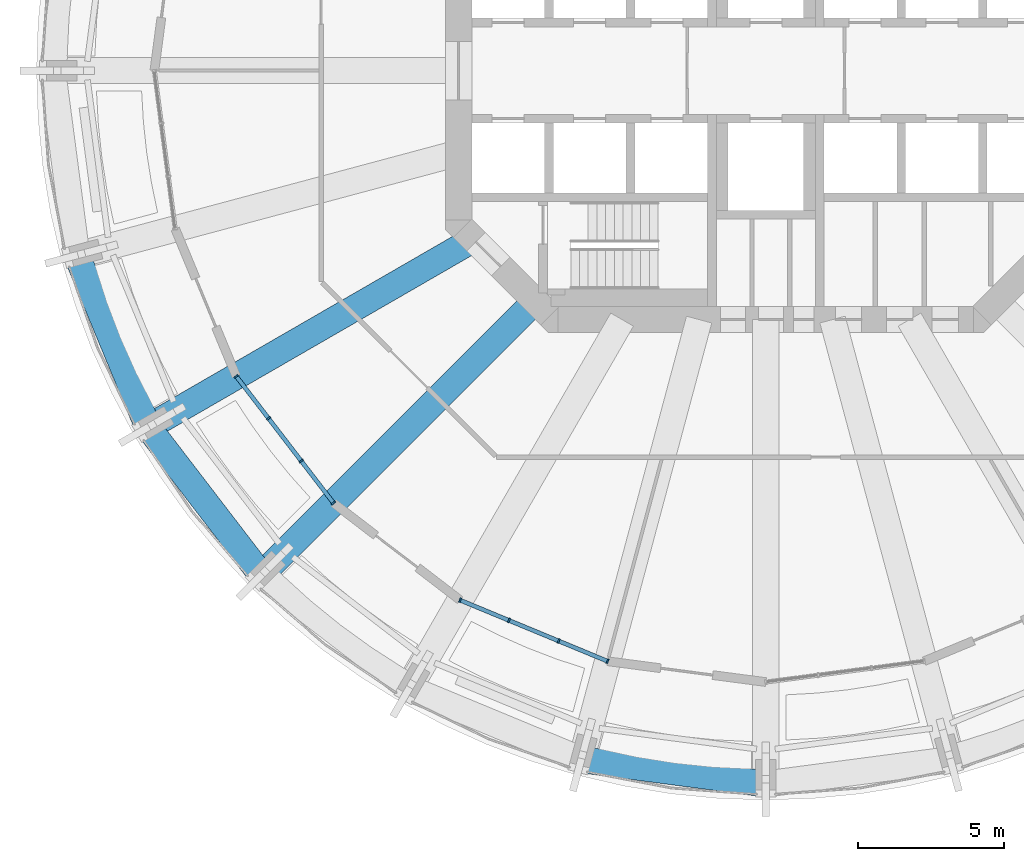
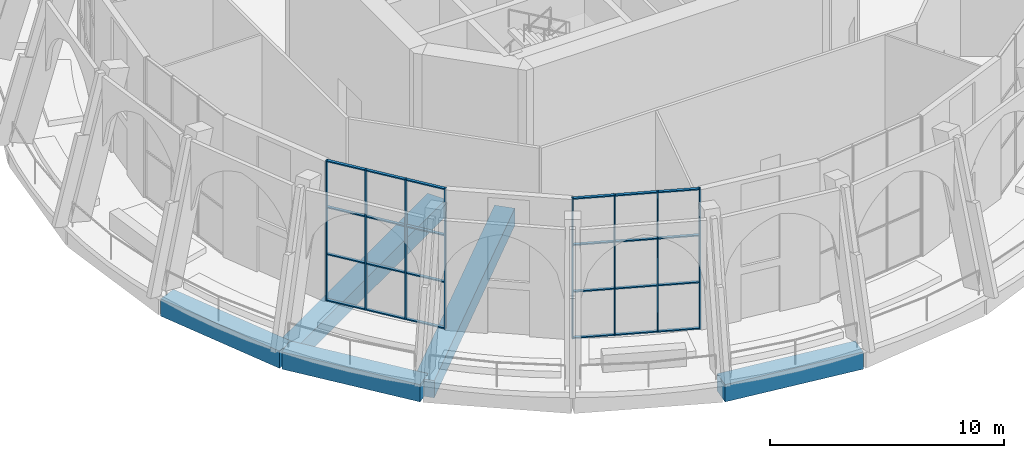
# One storey, part 2 of 18: 32 members, 5 beams, 2 elements without a shape of their own.
"""IFC4 building model written with IfcOpenShell, lengths in metres."""

import ifcopenshell
import ifcopenshell.guid

model = None  # the IFC model being written
_history = None  # IfcOwnerHistory: only IFC2X3 demands one
_inside = {}  # id of a spatial element -> (the spatial element, [elements in it])
_under = {}  # id of a project, library or spatial element -> (it, [spatial elements below it])
_declared = {}  # id of a project -> (the project, [libraries it declares])
_typed = {}  # id of a type object -> (the type object, [elements of that type])
_made_of = {}  # id of a material, layer set ... -> (it, [elements and type objects made of it])


def new_model(schema):
    """Start an empty IFC model of exactly this schema.

    Asked for "IFC4X3", IfcOpenShell would pick the latest addendum, in which some entities
    have other attributes; the version numbers below select the first issue.
    IFC2X3 requires an IfcOwnerHistory on every rooted entity: one is made here for all.
    """
    global model, _history
    if schema == "IFC4X3":
        model = ifcopenshell.file(schema_version=(4, 3, 0, 0))
    else:
        model = ifcopenshell.file(schema=schema)
    _inside.clear()
    _under.clear()
    _declared.clear()
    _typed.clear()
    _made_of.clear()
    _history = None
    if model.schema == "IFC2X3":
        org = make("IfcOrganization", Name="unknown")
        user = make(
            "IfcPersonAndOrganization",
            ThePerson=make("IfcPerson", FamilyName="unknown"),
            TheOrganization=org,
        )
        app = make(
            "IfcApplication",
            ApplicationDeveloper=org,
            Version="unknown",
            ApplicationFullName="unknown",
            ApplicationIdentifier="unknown",
        )
        _history = make(
            "IfcOwnerHistory",
            OwningUser=user,
            OwningApplication=app,
            ChangeAction="ADDED",
            CreationDate=0,
        )
    return model


def make(cls, **values):
    """One entity of the class cls with the attributes given. An attribute that is None is left unset."""
    return model.create_entity(
        cls, **{name: value for name, value in values.items() if value is not None}
    )


def rooted(cls, **values):
    """An entity with a GlobalId (a new one), such as an element, a storey or a relation."""
    return make(cls, GlobalId=ifcopenshell.guid.new(), OwnerHistory=_history, **values)


def si_unit(unit_type, name, prefix=None):
    """IfcSIUnit, for example si_unit("LENGTHUNIT", "METRE", prefix="MILLI")."""
    return make("IfcSIUnit", UnitType=unit_type, Prefix=prefix, Name=name)


def assignment(units):
    """IfcUnitAssignment: the units of a project."""
    return None if units is None else make("IfcUnitAssignment", Units=units)


def point(xyz):
    """IfcCartesianPoint."""
    return None if xyz is None else make("IfcCartesianPoint", Coordinates=xyz)


def direction(xyz):
    """IfcDirection."""
    return None if xyz is None else make("IfcDirection", DirectionRatios=xyz)


def frame(location, z_axis=None, x_axis=None):
    """IfcAxis2Placement3D, a coordinate frame: its origin and axes. An axis left out is left unset."""
    return make(
        "IfcAxis2Placement3D",
        Location=point(location),
        Axis=direction(z_axis),
        RefDirection=direction(x_axis),
    )


def frame_2d(location, x_axis=None):
    """IfcAxis2Placement2D, a coordinate frame in the plane: its origin and x axis."""
    return make(
        "IfcAxis2Placement2D", Location=point(location), RefDirection=direction(x_axis)
    )


def origin():
    """The frame at (0, 0, 0) with its axes left unset."""
    return frame((0.0, 0.0, 0.0))


def origin_2d():
    """The frame at (0, 0) in the plane with its x axis left unset."""
    return frame_2d((0.0, 0.0))


def place(relative_to, where):
    """IfcLocalPlacement: puts the frame where relative to a parent placement (None: the world)."""
    return make(
        "IfcLocalPlacement", PlacementRelTo=relative_to, RelativePlacement=where
    )


def context(
    kind, dimensions, precision=None, world=None, true_north=None, identifier=None
):
    """IfcGeometricRepresentationContext, for example the 3D "Model" context."""
    return make(
        "IfcGeometricRepresentationContext",
        ContextIdentifier=identifier,
        ContextType=kind,
        CoordinateSpaceDimension=dimensions,
        Precision=precision,
        WorldCoordinateSystem=world,
        TrueNorth=true_north,
    )


def subcontext(parent, identifier, kind, view, scale=None):
    """IfcGeometricRepresentationSubContext, for example "Body" below "Model"."""
    return make(
        "IfcGeometricRepresentationSubContext",
        ContextIdentifier=identifier,
        ContextType=kind,
        ParentContext=parent,
        TargetScale=scale,
        TargetView=view,
    )


def project(units=None, contexts=None):
    """IfcProject with its units and contexts."""
    return rooted(
        "IfcProject",
        Name="project",
        RepresentationContexts=contexts,
        UnitsInContext=assignment(units),
    )


def spatial(cls, under=None, at=None, **own):
    """A site, building, storey or space (cls), placed at a placement, below another one or the project."""
    s = rooted(cls, ObjectPlacement=at, **own)
    if under is not None:
        _under.setdefault(under.id(), (under, []))[1].append(s)
    return s


def profile(cls, at=None, kind="AREA", **sizes):
    """A parametric profile (cls). Its sizes go by their IFC names, for example OverallWidth=200.0."""
    return make(cls, ProfileType=kind, Position=at, **sizes)


def rectangle(**sizes):
    """IfcRectangleProfileDef."""
    return profile("IfcRectangleProfileDef", **sizes)


def extrude(swept, where, along, depth):
    """IfcExtrudedAreaSolid: the profile swept, set in the frame where, extruded along a direction by depth."""
    return make(
        "IfcExtrudedAreaSolid",
        SweptArea=swept,
        Position=where,
        ExtrudedDirection=direction(along),
        Depth=depth,
    )


def shape(context_of_items, identifier, shape_type, items):
    """IfcShapeRepresentation: the items that make up one representation, for example the "Body"."""
    return make(
        "IfcShapeRepresentation",
        ContextOfItems=context_of_items,
        RepresentationIdentifier=identifier,
        RepresentationType=shape_type,
        Items=items,
    )


def material(Name=None, Category=None):
    """IfcMaterial."""
    return make("IfcMaterial", Name=Name, Category=Category)


def material_profile(
    of_material, cross_section, Name=None, Category=None, Priority=None
):
    """IfcMaterialProfile: a cross section and its material."""
    return make(
        "IfcMaterialProfile",
        Name=Name,
        Material=of_material,
        Profile=cross_section,
        Priority=Priority,
        Category=Category,
    )


def profile_set(profiles, Name=None, composite=None):
    """IfcMaterialProfileSet."""
    return make(
        "IfcMaterialProfileSet",
        Name=Name,
        MaterialProfiles=profiles,
        CompositeProfile=composite,
    )


def made_of(thing, what):
    """Note that an element or type object is made of a material, layer set ...; save() writes the relation."""
    if what is not None:
        _made_of.setdefault(what.id(), (what, []))[1].append(thing)
    return thing


def type_object(cls, material=None, **own):
    """A type object (cls), such as IfcWallType, which elements share."""
    return made_of(rooted(cls, **own), material)


def element(
    cls,
    number,
    at=None,
    inside=None,
    cuts=None,
    type_object=None,
    material=None,
    context=None,
    identifier="Body",
    shape_type=None,
    held_by="IfcProductDefinitionShape",
    body=None,
    shapes=None,
    **own,
):
    """One element of the class cls, such as IfcWall. Its Tag is "e" and its number.

    at: its placement. inside: the storey or other place that contains it. cuts: it is an
    opening in that element (IfcRelVoidsElement). A single representation is given by context,
    identifier, shape_type and body (its items); several are given by shapes. held_by: the class
    of the entity that holds the representations. save() writes the other relations.
    """
    e = rooted(cls, Tag="e%d" % number, ObjectPlacement=at, **own)
    if body is not None:
        shapes = [shape(context, identifier, shape_type, body)]
    if shapes is not None:
        e.Representation = make(held_by, Representations=shapes)
    if inside is not None:
        _inside.setdefault(inside.id(), (inside, []))[1].append(e)
    if cuts is not None:
        rooted(
            "IfcRelVoidsElement", RelatingBuildingElement=cuts, RelatedOpeningElement=e
        )
    if type_object is not None:
        _typed.setdefault(type_object.id(), (type_object, []))[1].append(e)
    return made_of(e, material)


def aggregate(whole, parts):
    """IfcRelAggregates: a whole, such as a stair, and the parts it consists of."""
    return rooted("IfcRelAggregates", RelatingObject=whole, RelatedObjects=parts)


def save(model, path):
    """Write the relations noted so far, then the file.

    IfcRelAggregates (storeys below a building ...), IfcRelContainedInSpatialStructure (elements
    in a storey), IfcRelDefinesByType, IfcRelAssociatesMaterial and IfcRelDeclares: one each for
    every whole, place, type object, material and project.
    """
    for whole, parts in _under.values():
        aggregate(whole, parts)
    for where, things in _inside.values():
        rooted(
            "IfcRelContainedInSpatialStructure",
            RelatedElements=things,
            RelatingStructure=where,
        )
    for kind, things in _typed.values():
        rooted("IfcRelDefinesByType", RelatedObjects=things, RelatingType=kind)
    for what, things in _made_of.values():
        rooted("IfcRelAssociatesMaterial", RelatedObjects=things, RelatingMaterial=what)
    for by, libraries in _declared.values():
        rooted("IfcRelDeclares", RelatingContext=by, RelatedDefinitions=libraries)
    model.write(path)


model = new_model("IFC4")

# Units and contexts
model_context = context("Model", 3, precision=1e-05, world=origin(), true_north=direction((0.0, 1.0)))
body_context = subcontext(model_context, "Body", "Model", "MODEL_VIEW")
ifc_project = project(units=[si_unit("LENGTHUNIT", "METRE"), si_unit("AREAUNIT", "SQUARE_METRE"), si_unit("VOLUMEUNIT", "CUBIC_METRE"), si_unit("PLANEANGLEUNIT", "RADIAN"), si_unit("MASSUNIT", "GRAM", prefix="KILO")], contexts=[model_context])

# Site, building, storey
site_placement = place(None, origin())
site = spatial("IfcSite", under=ifc_project, at=site_placement, CompositionType="ELEMENT")
building_placement = place(site_placement, origin())
building = spatial("IfcBuilding", under=site, at=building_placement, Name="Torre Triforio", CompositionType="ELEMENT")
storey_placement = place(building_placement, frame((0.0, 0.0, 146.60009765625)))
storey = spatial("IfcBuildingStorey", under=building, at=storey_placement, Name="L33", CompositionType="ELEMENT", Elevation=146.60009765625)

# Curtain wall, members
ifc_material_1 = material(Name="Aluminium mullion and transom frame with clear laminated glass", Category="aluminium")
curtain_wall_type = type_object("IfcCurtainWallType", Name="Sky garden conservatory wall ECW3", PredefinedType="NOTDEFINED", material=ifc_material_1)
curtain_wall_1_placement = place(storey_placement, origin())
curtain_wall_1 = element("IfcCurtainWall", 1, at=curtain_wall_1_placement, inside=storey, type_object=curtain_wall_type, Name="Conservatory wall L33 bay 15", PredefinedType="NOTDEFINED")
ifc_material_2 = material(Name="Anodised aluminium extrusion", Category="aluminium")
ifc_material_profile_1 = material_profile(ifc_material_2, rectangle(XDim=0.159912109375, YDim=0.06005859375, at=origin_2d()), Name="ECW3 MULLION 60x160")
ifc_profile_set_1 = profile_set([ifc_material_profile_1], Name="Anodised aluminium extrusion")
member_type_1 = type_object("IfcMemberType", Name="ECW3 mullion 60 x 160", PredefinedType="MULLION", material=ifc_profile_set_1)
member_1_placement = place(storey_placement, frame((-18.1865234375, -10.5, 0.0), z_axis=(0.0, 0.0, 1.0), x_axis=(0.793351885029, 0.608763325538, 0.0)))
member_1 = element("IfcMember", 2, at=member_1_placement, type_object=member_type_1, Name="ECW3 mullion 1", PredefinedType="MULLION", context=body_context, shape_type="SweptSolid", body=[
    extrude(rectangle(XDim=0.159912109375, YDim=0.06005859375, at=origin_2d()), origin(), (0.0, 0.0, 1.0), 7.31982421875),
])
member_2_placement = place(storey_placement, frame((-17.080078125, -11.94189453125, 0.0), z_axis=(0.0, 0.0, 1.0), x_axis=(0.793351885029, 0.608763325538, 0.0)))
member_2 = element("IfcMember", 3, at=member_2_placement, type_object=member_type_1, Name="ECW3 mullion 2", PredefinedType="MULLION", context=body_context, shape_type="SweptSolid", body=[
    extrude(rectangle(XDim=0.159912109375, YDim=0.06005859375, at=origin_2d()), origin(), (0.0, 0.0, 1.0), 7.31982421875),
])
member_3_placement = place(storey_placement, frame((-15.95556640625, -13.407470703125, 0.0), z_axis=(0.0, 0.0, 1.0), x_axis=(0.793351885029, 0.608763325538, 0.0)))
member_3 = element("IfcMember", 4, at=member_3_placement, type_object=member_type_1, Name="ECW3 mullion 3", PredefinedType="MULLION", context=body_context, shape_type="SweptSolid", body=[
    extrude(rectangle(XDim=0.159912109375, YDim=0.06005859375, at=origin_2d()), origin(), (0.0, 0.0, 1.0), 7.31982421875),
])
member_4_placement = place(storey_placement, frame((-14.849365234375, -14.84912109375, 0.0), z_axis=(0.0, 0.0, 1.0), x_axis=(0.793351885029, 0.608763325538, 0.0)))
member_4 = element("IfcMember", 5, at=member_4_placement, type_object=member_type_1, Name="ECW3 mullion 4", PredefinedType="MULLION", context=body_context, shape_type="SweptSolid", body=[
    extrude(rectangle(XDim=0.159912109375, YDim=0.06005859375, at=origin_2d()), origin(), (0.0, 0.0, 1.0), 7.31982421875),
])

curtain_wall_2_placement = place(storey_placement, origin())
curtain_wall_2 = element("IfcCurtainWall", 6, at=curtain_wall_2_placement, inside=storey, type_object=curtain_wall_type, Name="Conservatory wall L33 bay 17", PredefinedType="NOTDEFINED")
member_5_placement = place(storey_placement, frame((-10.5, -18.1865234375, 0.0), z_axis=(0.0, 0.0, 1.0), x_axis=(0.382674764107, 0.923883122974, 0.0)))
member_5 = element("IfcMember", 7, at=member_5_placement, type_object=member_type_1, Name="ECW3 mullion 1", PredefinedType="MULLION", context=body_context, shape_type="SweptSolid", body=[
    extrude(rectangle(XDim=0.159912109375, YDim=0.06005859375, at=origin_2d()), origin(), (0.0, 0.0, 1.0), 7.31982421875),
])
member_6_placement = place(storey_placement, frame((-8.821044921875, -18.882080078125, 0.0), z_axis=(0.0, 0.0, 1.0), x_axis=(0.382674764107, 0.923883122974, 0.0)))
member_6 = element("IfcMember", 8, at=member_6_placement, type_object=member_type_1, Name="ECW3 mullion 2", PredefinedType="MULLION", context=body_context, shape_type="SweptSolid", body=[
    extrude(rectangle(XDim=0.159912109375, YDim=0.06005859375, at=origin_2d()), origin(), (0.0, 0.0, 1.0), 7.31982421875),
])
member_7_placement = place(storey_placement, frame((-7.1142578125, -19.5888671875, 0.0), z_axis=(0.0, 0.0, 1.0), x_axis=(0.382674764107, 0.923883122974, 0.0)))
member_7 = element("IfcMember", 9, at=member_7_placement, type_object=member_type_1, Name="ECW3 mullion 3", PredefinedType="MULLION", context=body_context, shape_type="SweptSolid", body=[
    extrude(rectangle(XDim=0.159912109375, YDim=0.06005859375, at=origin_2d()), origin(), (0.0, 0.0, 1.0), 7.31982421875),
])
member_8_placement = place(storey_placement, frame((-5.435302734375, -20.284423828125, 0.0), z_axis=(0.0, 0.0, 1.0), x_axis=(0.382674764107, 0.923883122974, 0.0)))
member_8 = element("IfcMember", 10, at=member_8_placement, type_object=member_type_1, Name="ECW3 mullion 4", PredefinedType="MULLION", context=body_context, shape_type="SweptSolid", body=[
    extrude(rectangle(XDim=0.159912109375, YDim=0.06005859375, at=origin_2d()), origin(), (0.0, 0.0, 1.0), 7.31982421875),
])

# Member
ifc_material_profile_2 = material_profile(ifc_material_2, rectangle(XDim=0.139892578125, YDim=0.06005859375, at=origin_2d()), Name="ECW3 TRANSOM 60x140")
ifc_profile_set_2 = profile_set([ifc_material_profile_2], Name="Anodised aluminium extrusion")
member_type_2 = type_object("IfcMemberType", Name="ECW3 transom 60 x 140", PredefinedType="USERDEFINED", material=ifc_profile_set_2)
member_9_placement = place(storey_placement, frame((-18.168212890625, -10.523681640625, 0.02978515625), z_axis=(0.60874355425, -0.793367055756, 0.0), x_axis=(0.793367055756, 0.60874355425, 0.0)))
member_9 = element("IfcMember", 11, at=member_9_placement, type_object=member_type_2, Name="ECW3 transom 1.1", ObjectType="TRANSOM", PredefinedType="USERDEFINED", context=body_context, shape_type="SweptSolid", body=[
    extrude(rectangle(XDim=0.139892578125, YDim=0.06005859375, at=origin_2d()), origin(), (0.0, 0.0, 1.0), 1.75732421875),
])

member_10_placement = place(storey_placement, frame((-18.168212890625, -10.523681640625, 2.43994140625), z_axis=(0.60874355425, -0.793367055756, 0.0), x_axis=(0.793367055756, 0.60874355425, 0.0)))
member_10 = element("IfcMember", 12, at=member_10_placement, type_object=member_type_2, Name="ECW3 transom 1.2", ObjectType="TRANSOM", PredefinedType="USERDEFINED", context=body_context, shape_type="SweptSolid", body=[
    extrude(rectangle(XDim=0.139892578125, YDim=0.06005859375, at=origin_2d()), origin(), (0.0, 0.0, 1.0), 1.75732421875),
])

member_11_placement = place(storey_placement, frame((-18.168212890625, -10.523681640625, 4.8798828125), z_axis=(0.60874355425, -0.793367055756, 0.0), x_axis=(0.793367055756, 0.60874355425, 0.0)))
member_11 = element("IfcMember", 13, at=member_11_placement, type_object=member_type_2, Name="ECW3 transom 1.3", ObjectType="TRANSOM", PredefinedType="USERDEFINED", context=body_context, shape_type="SweptSolid", body=[
    extrude(rectangle(XDim=0.139892578125, YDim=0.06005859375, at=origin_2d()), origin(), (0.0, 0.0, 1.0), 1.75732421875),
])

member_12_placement = place(storey_placement, frame((-18.168212890625, -10.523681640625, 7.289794921875), z_axis=(0.60874355425, -0.793367055756, 0.0), x_axis=(0.793367055756, 0.60874355425, 0.0)))
member_12 = element("IfcMember", 14, at=member_12_placement, type_object=member_type_2, Name="ECW3 transom 1.4", ObjectType="TRANSOM", PredefinedType="USERDEFINED", context=body_context, shape_type="SweptSolid", body=[
    extrude(rectangle(XDim=0.139892578125, YDim=0.06005859375, at=origin_2d()), origin(), (0.0, 0.0, 1.0), 1.75732421875),
])

member_13_placement = place(storey_placement, frame((-17.06201171875, -11.965576171875, 0.02978515625), z_axis=(0.608792795973, -0.793329270588, 0.0), x_axis=(0.793329270588, 0.608792795973, 0.0)))
member_13 = element("IfcMember", 15, at=member_13_placement, type_object=member_type_2, Name="ECW3 transom 2.1", ObjectType="TRANSOM", PredefinedType="USERDEFINED", context=body_context, shape_type="SweptSolid", body=[
    extrude(rectangle(XDim=0.139892578125, YDim=0.06005859375, at=origin_2d()), origin(), (0.0, 0.0, 1.0), 1.787353515625),
])

member_14_placement = place(storey_placement, frame((-17.06201171875, -11.965576171875, 2.43994140625), z_axis=(0.608792795973, -0.793329270588, 0.0), x_axis=(0.793329270588, 0.608792795973, 0.0)))
member_14 = element("IfcMember", 16, at=member_14_placement, type_object=member_type_2, Name="ECW3 transom 2.2", ObjectType="TRANSOM", PredefinedType="USERDEFINED", context=body_context, shape_type="SweptSolid", body=[
    extrude(rectangle(XDim=0.139892578125, YDim=0.06005859375, at=origin_2d()), origin(), (0.0, 0.0, 1.0), 1.787353515625),
])

member_15_placement = place(storey_placement, frame((-17.06201171875, -11.965576171875, 4.8798828125), z_axis=(0.608792795973, -0.793329270588, 0.0), x_axis=(0.793329270588, 0.608792795973, 0.0)))
member_15 = element("IfcMember", 17, at=member_15_placement, type_object=member_type_2, Name="ECW3 transom 2.3", ObjectType="TRANSOM", PredefinedType="USERDEFINED", context=body_context, shape_type="SweptSolid", body=[
    extrude(rectangle(XDim=0.139892578125, YDim=0.06005859375, at=origin_2d()), origin(), (0.0, 0.0, 1.0), 1.787353515625),
])

member_16_placement = place(storey_placement, frame((-17.06201171875, -11.965576171875, 7.289794921875), z_axis=(0.608792795973, -0.793329270588, 0.0), x_axis=(0.793329270588, 0.608792795973, 0.0)))
member_16 = element("IfcMember", 18, at=member_16_placement, type_object=member_type_2, Name="ECW3 transom 2.4", ObjectType="TRANSOM", PredefinedType="USERDEFINED", context=body_context, shape_type="SweptSolid", body=[
    extrude(rectangle(XDim=0.139892578125, YDim=0.06005859375, at=origin_2d()), origin(), (0.0, 0.0, 1.0), 1.787353515625),
])

member_17_placement = place(storey_placement, frame((-15.937255859375, -13.43115234375, 0.02978515625), z_axis=(0.60874355425, -0.793367055756, 0.0), x_axis=(0.793367055756, 0.60874355425, 0.0)))
member_17 = element("IfcMember", 19, at=member_17_placement, type_object=member_type_2, Name="ECW3 transom 3.1", ObjectType="TRANSOM", PredefinedType="USERDEFINED", context=body_context, shape_type="SweptSolid", body=[
    extrude(rectangle(XDim=0.139892578125, YDim=0.06005859375, at=origin_2d()), origin(), (0.0, 0.0, 1.0), 1.75732421875),
])

member_18_placement = place(storey_placement, frame((-15.937255859375, -13.43115234375, 2.43994140625), z_axis=(0.60874355425, -0.793367055756, 0.0), x_axis=(0.793367055756, 0.60874355425, 0.0)))
member_18 = element("IfcMember", 20, at=member_18_placement, type_object=member_type_2, Name="ECW3 transom 3.2", ObjectType="TRANSOM", PredefinedType="USERDEFINED", context=body_context, shape_type="SweptSolid", body=[
    extrude(rectangle(XDim=0.139892578125, YDim=0.06005859375, at=origin_2d()), origin(), (0.0, 0.0, 1.0), 1.75732421875),
])

member_19_placement = place(storey_placement, frame((-15.937255859375, -13.43115234375, 4.8798828125), z_axis=(0.60874355425, -0.793367055756, 0.0), x_axis=(0.793367055756, 0.60874355425, 0.0)))
member_19 = element("IfcMember", 21, at=member_19_placement, type_object=member_type_2, Name="ECW3 transom 3.3", ObjectType="TRANSOM", PredefinedType="USERDEFINED", context=body_context, shape_type="SweptSolid", body=[
    extrude(rectangle(XDim=0.139892578125, YDim=0.06005859375, at=origin_2d()), origin(), (0.0, 0.0, 1.0), 1.75732421875),
])

member_20_placement = place(storey_placement, frame((-15.937255859375, -13.43115234375, 7.289794921875), z_axis=(0.60874355425, -0.793367055756, 0.0), x_axis=(0.793367055756, 0.60874355425, 0.0)))
member_20 = element("IfcMember", 22, at=member_20_placement, type_object=member_type_2, Name="ECW3 transom 3.4", ObjectType="TRANSOM", PredefinedType="USERDEFINED", context=body_context, shape_type="SweptSolid", body=[
    extrude(rectangle(XDim=0.139892578125, YDim=0.06005859375, at=origin_2d()), origin(), (0.0, 0.0, 1.0), 1.75732421875),
])

aggregate(curtain_wall_1, [member_1, member_2, member_3, member_4, member_9, member_10, member_11, member_12, member_13, member_14, member_15, member_16, member_17, member_18, member_19, member_20])

member_21_placement = place(storey_placement, frame((-10.47216796875, -18.197998046875, 0.02978515625), z_axis=(0.923855963606, -0.38274032778, 0.0), x_axis=(0.38274032778, 0.923855963606, 0.0)))
member_21 = element("IfcMember", 23, at=member_21_placement, type_object=member_type_2, Name="ECW3 transom 1.1", ObjectType="TRANSOM", PredefinedType="USERDEFINED", context=body_context, shape_type="SweptSolid", body=[
    extrude(rectangle(XDim=0.139892578125, YDim=0.06005859375, at=origin_2d()), origin(), (0.0, 0.0, 1.0), 1.75732421875),
])

member_22_placement = place(storey_placement, frame((-10.47216796875, -18.197998046875, 2.43994140625), z_axis=(0.923855963606, -0.38274032778, 0.0), x_axis=(0.38274032778, 0.923855963606, 0.0)))
member_22 = element("IfcMember", 24, at=member_22_placement, type_object=member_type_2, Name="ECW3 transom 1.2", ObjectType="TRANSOM", PredefinedType="USERDEFINED", context=body_context, shape_type="SweptSolid", body=[
    extrude(rectangle(XDim=0.139892578125, YDim=0.06005859375, at=origin_2d()), origin(), (0.0, 0.0, 1.0), 1.75732421875),
])

member_23_placement = place(storey_placement, frame((-10.47216796875, -18.197998046875, 4.8798828125), z_axis=(0.923855963606, -0.38274032778, 0.0), x_axis=(0.38274032778, 0.923855963606, 0.0)))
member_23 = element("IfcMember", 25, at=member_23_placement, type_object=member_type_2, Name="ECW3 transom 1.3", ObjectType="TRANSOM", PredefinedType="USERDEFINED", context=body_context, shape_type="SweptSolid", body=[
    extrude(rectangle(XDim=0.139892578125, YDim=0.06005859375, at=origin_2d()), origin(), (0.0, 0.0, 1.0), 1.75732421875),
])

member_24_placement = place(storey_placement, frame((-10.47216796875, -18.197998046875, 7.289794921875), z_axis=(0.923855963606, -0.38274032778, 0.0), x_axis=(0.38274032778, 0.923855963606, 0.0)))
member_24 = element("IfcMember", 26, at=member_24_placement, type_object=member_type_2, Name="ECW3 transom 1.4", ObjectType="TRANSOM", PredefinedType="USERDEFINED", context=body_context, shape_type="SweptSolid", body=[
    extrude(rectangle(XDim=0.139892578125, YDim=0.06005859375, at=origin_2d()), origin(), (0.0, 0.0, 1.0), 1.75732421875),
])

member_25_placement = place(storey_placement, frame((-8.793212890625, -18.8935546875, 0.02978515625), z_axis=(0.923915291126, -0.382597092023, 0.0), x_axis=(0.382597092023, 0.923915291126, 0.0)))
member_25 = element("IfcMember", 27, at=member_25_placement, type_object=member_type_2, Name="ECW3 transom 2.1", ObjectType="TRANSOM", PredefinedType="USERDEFINED", context=body_context, shape_type="SweptSolid", body=[
    extrude(rectangle(XDim=0.139892578125, YDim=0.06005859375, at=origin_2d()), origin(), (0.0, 0.0, 1.0), 1.787353515625),
])

member_26_placement = place(storey_placement, frame((-8.793212890625, -18.8935546875, 2.43994140625), z_axis=(0.923915291126, -0.382597092023, 0.0), x_axis=(0.382597092023, 0.923915291126, 0.0)))
member_26 = element("IfcMember", 28, at=member_26_placement, type_object=member_type_2, Name="ECW3 transom 2.2", ObjectType="TRANSOM", PredefinedType="USERDEFINED", context=body_context, shape_type="SweptSolid", body=[
    extrude(rectangle(XDim=0.139892578125, YDim=0.06005859375, at=origin_2d()), origin(), (0.0, 0.0, 1.0), 1.787353515625),
])

member_27_placement = place(storey_placement, frame((-8.793212890625, -18.8935546875, 4.8798828125), z_axis=(0.923915291126, -0.382597092023, 0.0), x_axis=(0.382597092023, 0.923915291126, 0.0)))
member_27 = element("IfcMember", 29, at=member_27_placement, type_object=member_type_2, Name="ECW3 transom 2.3", ObjectType="TRANSOM", PredefinedType="USERDEFINED", context=body_context, shape_type="SweptSolid", body=[
    extrude(rectangle(XDim=0.139892578125, YDim=0.06005859375, at=origin_2d()), origin(), (0.0, 0.0, 1.0), 1.787353515625),
])

member_28_placement = place(storey_placement, frame((-8.793212890625, -18.8935546875, 7.289794921875), z_axis=(0.923915291126, -0.382597092023, 0.0), x_axis=(0.382597092023, 0.923915291126, 0.0)))
member_28 = element("IfcMember", 30, at=member_28_placement, type_object=member_type_2, Name="ECW3 transom 2.4", ObjectType="TRANSOM", PredefinedType="USERDEFINED", context=body_context, shape_type="SweptSolid", body=[
    extrude(rectangle(XDim=0.139892578125, YDim=0.06005859375, at=origin_2d()), origin(), (0.0, 0.0, 1.0), 1.787353515625),
])

member_29_placement = place(storey_placement, frame((-7.08642578125, -19.600341796875, 0.02978515625), z_axis=(0.923855963606, -0.38274032778, 0.0), x_axis=(0.38274032778, 0.923855963606, 0.0)))
member_29 = element("IfcMember", 31, at=member_29_placement, type_object=member_type_2, Name="ECW3 transom 3.1", ObjectType="TRANSOM", PredefinedType="USERDEFINED", context=body_context, shape_type="SweptSolid", body=[
    extrude(rectangle(XDim=0.139892578125, YDim=0.06005859375, at=origin_2d()), origin(), (0.0, 0.0, 1.0), 1.75732421875),
])

member_30_placement = place(storey_placement, frame((-7.08642578125, -19.600341796875, 2.43994140625), z_axis=(0.923855963606, -0.38274032778, 0.0), x_axis=(0.38274032778, 0.923855963606, 0.0)))
member_30 = element("IfcMember", 32, at=member_30_placement, type_object=member_type_2, Name="ECW3 transom 3.2", ObjectType="TRANSOM", PredefinedType="USERDEFINED", context=body_context, shape_type="SweptSolid", body=[
    extrude(rectangle(XDim=0.139892578125, YDim=0.06005859375, at=origin_2d()), origin(), (0.0, 0.0, 1.0), 1.75732421875),
])

member_31_placement = place(storey_placement, frame((-7.08642578125, -19.600341796875, 4.8798828125), z_axis=(0.923855963606, -0.38274032778, 0.0), x_axis=(0.38274032778, 0.923855963606, 0.0)))
member_31 = element("IfcMember", 33, at=member_31_placement, type_object=member_type_2, Name="ECW3 transom 3.3", ObjectType="TRANSOM", PredefinedType="USERDEFINED", context=body_context, shape_type="SweptSolid", body=[
    extrude(rectangle(XDim=0.139892578125, YDim=0.06005859375, at=origin_2d()), origin(), (0.0, 0.0, 1.0), 1.75732421875),
])

member_32_placement = place(storey_placement, frame((-7.08642578125, -19.600341796875, 7.289794921875), z_axis=(0.923855963606, -0.38274032778, 0.0), x_axis=(0.38274032778, 0.923855963606, 0.0)))
member_32 = element("IfcMember", 34, at=member_32_placement, type_object=member_type_2, Name="ECW3 transom 3.4", ObjectType="TRANSOM", PredefinedType="USERDEFINED", context=body_context, shape_type="SweptSolid", body=[
    extrude(rectangle(XDim=0.139892578125, YDim=0.06005859375, at=origin_2d()), origin(), (0.0, 0.0, 1.0), 1.75732421875),
])

aggregate(curtain_wall_2, [member_5, member_6, member_7, member_8, member_21, member_22, member_23, member_24, member_25, member_26, member_27, member_28, member_29, member_30, member_31, member_32])

# Beams
ifc_material_3 = material(Name="Concrete C50", Category="concrete")
ifc_material_profile_3 = material_profile(ifc_material_3, rectangle(XDim=0.89990234375, YDim=0.89990234375, at=origin_2d()), Name="RC 900x900")
ifc_profile_set_3 = profile_set([ifc_material_profile_3], Name="Concrete C50")
beam_type_1 = type_object("IfcBeamType", Name="Radial beam RC 900x900 C50", PredefinedType="BEAM", material=ifc_profile_set_3)
beam_1_placement = place(storey_placement, frame((-10.039794921875, -5.796630859375, -0.72998046875), z_axis=(-0.866028718729, -0.499994258303, 0.0), x_axis=(0.499994258303, -0.866028718729, 0.0)))
element("IfcBeam", 35, at=beam_1_placement, inside=storey, type_object=beam_type_1, Name="BM.R.L33.14", PredefinedType="BEAM", context=body_context, shape_type="SweptSolid", body=[
    extrude(rectangle(XDim=0.89990234375, YDim=0.89990234375, at=origin_2d()), origin(), (0.0, 0.0, 1.0), 12.906982421875),
])
beam_2_placement = place(storey_placement, frame((-7.918212890625, -7.918212890625, -0.72998046875), z_axis=(-0.707106781187, -0.707106781187, 0.0), x_axis=(0.707106781187, -0.707106781187, 0.0)))
element("IfcBeam", 36, at=beam_2_placement, inside=storey, type_object=beam_type_1, Name="BM.R.L33.15", PredefinedType="BEAM", context=body_context, shape_type="SweptSolid", body=[
    extrude(rectangle(XDim=0.89990234375, YDim=0.89990234375, at=origin_2d()), origin(), (0.0, 0.0, 1.0), 13.302001953125),
])
ifc_material_profile_4 = material_profile(ifc_material_3, rectangle(XDim=0.89990234375, YDim=0.89990234375, at=origin_2d()), Name="RC 900x900")
ifc_profile_set_4 = profile_set([ifc_material_profile_4], Name="Concrete C50")
beam_type_2 = type_object("IfcBeamType", Name="Spandrel beam RC 900x900 C50", PredefinedType="SPANDREL", material=ifc_profile_set_4)
for number, where, z_axis, x_axis, name in (
    (37, (-23.665283203125, -6.341064453125, -0.72998046875), (0.382709143949, -0.923868882006, 0.0), (0.923868882006, 0.382709143949, 0.0), "BM.S.L33.13"),
    (38, (-21.217529296875, -12.25, -0.72998046875), (0.60873442055, -0.79337406388, 0.0), (0.79337406388, 0.60873442055, 0.0), "BM.S.L33.14"),
    (39, (-6.341064453125, -23.665283203125, -0.72998046875), (0.991446888172, -0.130510796237, 0.0), (0.130510796237, 0.991446888172, 0.0), "BM.S.L33.17"),
):
    element("IfcBeam", number, at=place(storey_placement, frame(where, z_axis=z_axis, x_axis=x_axis)), inside=storey, type_object=beam_type_2, Name=name, PredefinedType="SPANDREL", context=body_context, shape_type="SweptSolid", body=[
        extrude(rectangle(XDim=0.89990234375, YDim=0.89990234375, at=origin_2d()), origin(), (0.0, 0.0, 1.0), 6.395751953125),
    ])

save(model, "model.ifc")
